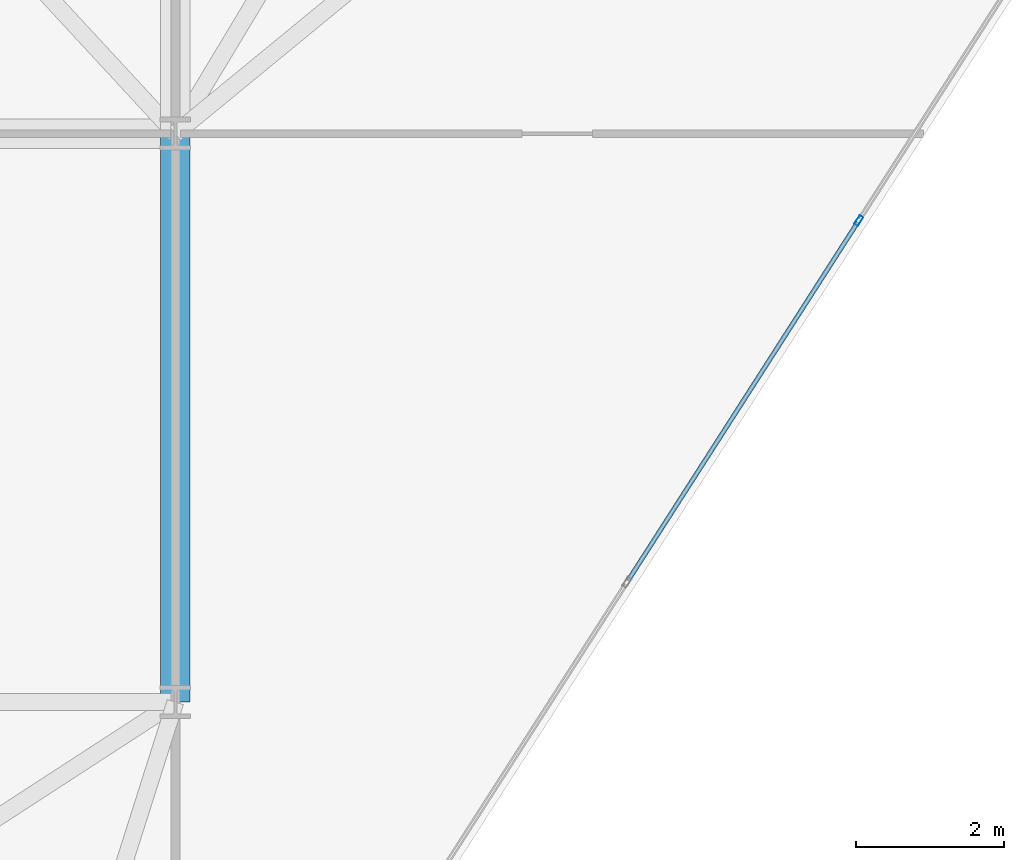
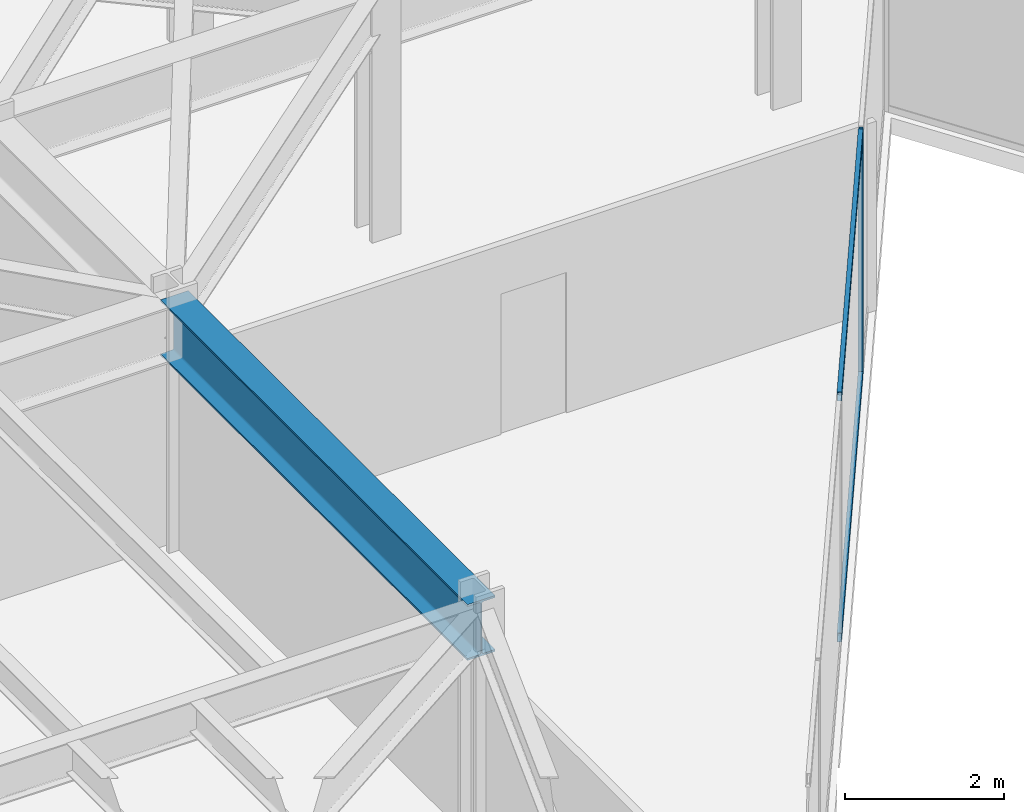
# One storey, part 8 of 26: 3 members, 1 beam, 1 element without a shape of its own.
"""IFC4 building model written with IfcOpenShell, lengths in metres."""

from ifc_helpers import new_model, si_unit, direction, frame, origin, origin_2d, place, context, subcontext, project, spatial, hollow_rectangle, i_section, extrude, material, layer, layer_set, material_profile, profile_set, type_object, element, aggregate, save


model = new_model("IFC4")

# Units and contexts
model_context = context("Model", 3, precision=1e-05, world=origin(), true_north=direction((0.0, 1.0)))
body_context = subcontext(model_context, "Body", "Model", "MODEL_VIEW")
ifc_project = project(units=[si_unit("LENGTHUNIT", "METRE"), si_unit("AREAUNIT", "SQUARE_METRE"), si_unit("VOLUMEUNIT", "CUBIC_METRE"), si_unit("PLANEANGLEUNIT", "RADIAN"), si_unit("MASSUNIT", "GRAM", prefix="KILO")], contexts=[model_context])

# Site, building, storey
site_placement = place(None, origin())
site = spatial("IfcSite", under=ifc_project, at=site_placement, CompositionType="ELEMENT")
building_placement = place(site_placement, origin())
building = spatial("IfcBuilding", under=site, at=building_placement, Name="Kravanh Interchange Tower", CompositionType="ELEMENT")
storey_placement = place(building_placement, frame((0.0, 0.0, 144.0)))
storey = spatial("IfcBuildingStorey", under=building, at=storey_placement, Name="L34", CompositionType="ELEMENT", Elevation=144.0)

# Curtain wall, members
ifc_material_1 = material(Name="Anodised Bronze Aluminium", Category="aluminium")
ifc_layer = layer(ifc_material_1, 0.179931640625)
ifc_layer_set = layer_set([ifc_layer], Name="Unitised Curtain Wall System CW-Z2 Mid Office")
curtain_wall_type = type_object("IfcCurtainWallType", Name="Unitised Curtain Wall System CW-Z2 Mid Office", PredefinedType="NOTDEFINED", material=ifc_layer_set)
curtain_wall_placement = place(storey_placement, origin())
curtain_wall = element("IfcCurtainWall", 1, at=curtain_wall_placement, inside=storey, type_object=curtain_wall_type, Name="L34 Unitised Curtain Wall CW-L34-05", PredefinedType="NOTDEFINED")
ifc_material_2 = material(Name="Anodised Bronze Aluminium", Category="aluminium")
ifc_material_profile_1 = material_profile(ifc_material_2, hollow_rectangle(XDim=0.06005859375, YDim=0.139892578125, WallThickness=0.00390625, at=origin_2d()), Name="ALU60X140X4")
ifc_profile_set_1 = profile_set([ifc_material_profile_1], Name="Anodised Bronze Aluminium")
member_type_1 = type_object("IfcMemberType", Name="Curtain Wall Mullion ALU60X140X4 Bronze", PredefinedType="MULLION", material=ifc_profile_set_1)
member_1_placement = place(storey_placement, frame((36.45849609375, 21.021728515625, 0.0), z_axis=(0.0, 0.0, 1.0), x_axis=(0.841879939476, -0.539664865919, 0.0)))
member_1 = element("IfcMember", 2, at=member_1_placement, type_object=member_type_1, Name="CW-Z2 mullion 2", PredefinedType="MULLION", context=body_context, shape_type="SweptSolid", body=[
    extrude(hollow_rectangle(XDim=0.06005859375, YDim=0.139892578125, WallThickness=0.00390625, at=origin_2d()), origin(), (0.0, 0.0, 1.0), 3.75),
])
ifc_material_3 = material(Name="Anodised Bronze Aluminium", Category="aluminium")
ifc_material_profile_2 = material_profile(ifc_material_3, hollow_rectangle(XDim=0.06005859375, YDim=0.139892578125, WallThickness=0.00390625, at=origin_2d()), Name="ALU60X140X4")
ifc_profile_set_2 = profile_set([ifc_material_profile_2], Name="Anodised Bronze Aluminium")
member_type_2 = type_object("IfcMemberType", Name="Curtain Wall Transom ALU60X140X4 Bronze", PredefinedType="USERDEFINED", material=ifc_profile_set_2)
member_2_placement = place(storey_placement, frame((36.4423828125, 20.99658203125, 0.030029296875), z_axis=(-0.539647630778, -0.841890987359, 0.0), x_axis=(0.841890987359, -0.539647630778, 0.0)))
member_2 = element("IfcMember", 3, at=member_2_placement, type_object=member_type_2, Name="CW-Z2 transom 2.1", ObjectType="TRANSOM", PredefinedType="USERDEFINED", context=body_context, shape_type="SweptSolid", body=[
    extrude(hollow_rectangle(XDim=0.06005859375, YDim=0.139892578125, WallThickness=0.00390625, at=origin_2d()), origin(), (0.0, 0.0, 1.0), 5.760986328125),
])
member_3_placement = place(storey_placement, frame((36.4423828125, 20.99658203125, 3.719970703125), z_axis=(-0.539647630778, -0.841890987359, 0.0), x_axis=(0.841890987359, -0.539647630778, 0.0)))
member_3 = element("IfcMember", 4, at=member_3_placement, type_object=member_type_2, Name="CW-Z2 transom 2.2", ObjectType="TRANSOM", PredefinedType="USERDEFINED", context=body_context, shape_type="SweptSolid", body=[
    extrude(hollow_rectangle(XDim=0.06005859375, YDim=0.139892578125, WallThickness=0.00390625, at=origin_2d()), origin(), (0.0, 0.0, 1.0), 5.760986328125),
])
aggregate(curtain_wall, [member_1, member_2, member_3])

# Beam
ifc_material_4 = material(Name="Structural Steel S355", Category="steel")
ifc_material_profile_3 = material_profile(ifc_material_4, i_section(OverallWidth=0.39990234375, OverallDepth=0.85595703125, WebThickness=0.018310546875, FlangeThickness=0.029296875, FilletRadius=0.02490234375, at=origin_2d()), Name="W33X201")
ifc_profile_set_3 = profile_set([ifc_material_profile_3], Name="Structural Steel S355")
beam_type = type_object("IfcBeamType", Name="Floor Beam W33X201 Structural Steel S355", PredefinedType="BEAM", material=ifc_profile_set_3)
beam_placement = place(storey_placement, frame((27.199951171875, 14.5, 3.322021484375), z_axis=(0.0, 1.0, 0.0), x_axis=(-1.0, 0.0, 0.0)))
element("IfcBeam", 5, at=beam_placement, inside=storey, type_object=beam_type, Name="L34 Primary Floor Girder 102", PredefinedType="BEAM", context=body_context, shape_type="SweptSolid", body=[
    extrude(i_section(OverallWidth=0.39990234375, OverallDepth=0.85595703125, WebThickness=0.018310546875, FlangeThickness=0.029296875, FilletRadius=0.02490234375, at=origin_2d()), origin(), (0.0, 0.0, 1.0), 7.699951171875),
])

save(model, "model.ifc")
